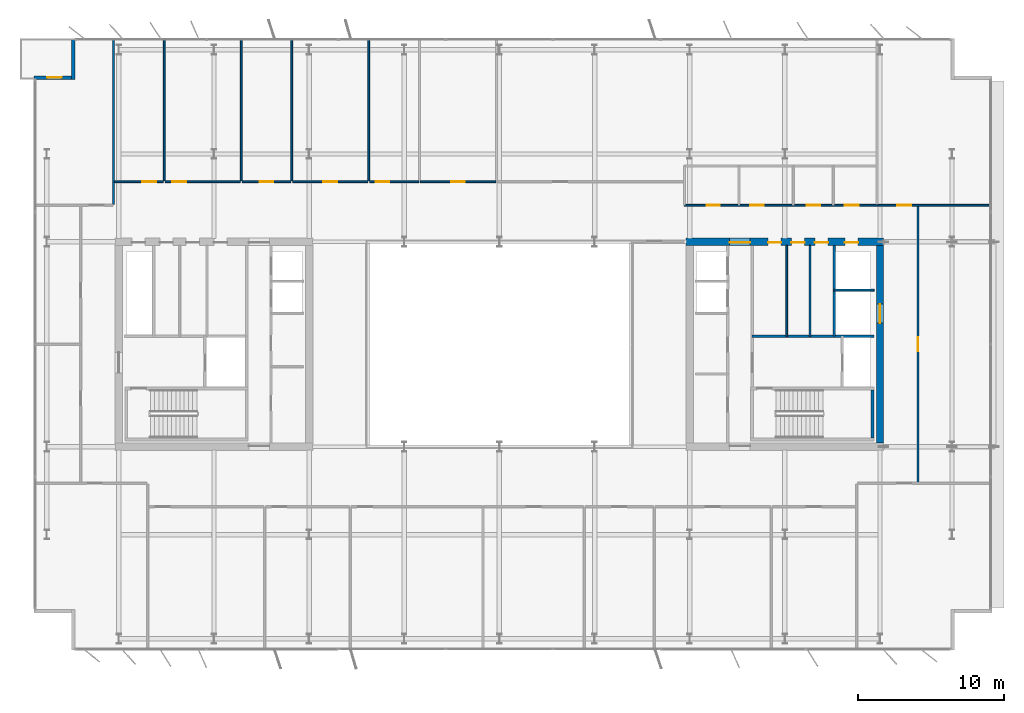
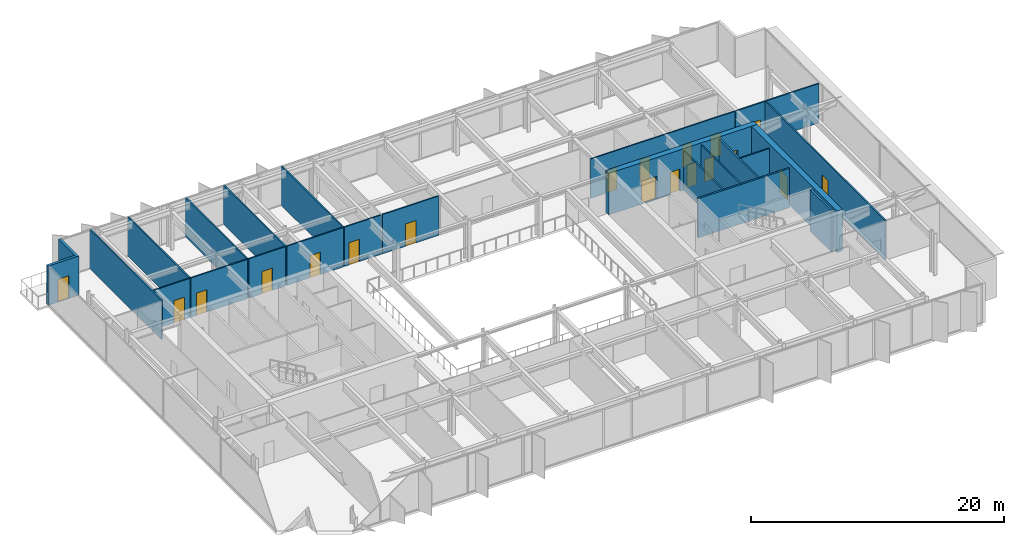
# One storey, part 15 of 20: 24 walls, 19 doors, 19 openings.
"""IFC4 building model written with IfcOpenShell, lengths in metres."""

from ifc_helpers import new_model, si_unit, direction, frame, frame_2d, origin, place, context, subcontext, project, spatial, rectangle, extrude, material, layer, layer_set, type_object, element, fill, save


model = new_model("IFC4")

# Units and contexts
model_context = context("Model", 3, precision=1e-05, world=origin(), true_north=direction((0.0, 1.0)))
body_context = subcontext(model_context, "Body", "Model", "MODEL_VIEW")
ifc_project = project(units=[si_unit("LENGTHUNIT", "METRE"), si_unit("AREAUNIT", "SQUARE_METRE"), si_unit("VOLUMEUNIT", "CUBIC_METRE"), si_unit("PLANEANGLEUNIT", "RADIAN"), si_unit("MASSUNIT", "GRAM", prefix="KILO")], contexts=[model_context])

# Site, building, storey
site_placement = place(None, origin())
site = spatial("IfcSite", under=ifc_project, at=site_placement, CompositionType="ELEMENT")
building_placement = place(site_placement, origin())
building = spatial("IfcBuilding", under=site, at=building_placement, Name="Putna Gate Headquarters", CompositionType="ELEMENT")
storey_placement = place(building_placement, frame((0.0, 0.0, 282.39990234375)))
storey = spatial("IfcBuildingStorey", under=building, at=storey_placement, Name="L71", CompositionType="ELEMENT", Elevation=282.39990234375)

# Wall, openings, doors
ifc_material_1 = material(Name="Concrete C50/60", Category="concrete")
ifc_layer_1 = layer(ifc_material_1, 0.5)
ifc_layer_set_1 = layer_set([ifc_layer_1], Name="Concrete C50/60")
wall_type_1 = type_object("IfcWallType", Name="WALL-CORE-500", PredefinedType="SHEAR", material=ifc_layer_set_1)
wall_1_placement = place(storey_placement, frame((51.75, 33.0, 0.0), z_axis=(0.0, 0.0, 1.0), x_axis=(1.0, 0.0, 0.0)))
wall_1 = element("IfcWall", 1, at=wall_1_placement, inside=storey, type_object=wall_type_1, Name="L71 EC Split Core Shear Wall N", PredefinedType="SHEAR", context=body_context, shape_type="SweptSolid", body=[
    extrude(rectangle(XDim=13.5, YDim=0.5, at=frame_2d((6.75, 0.0))), origin(), (0.0, 0.0, 1.0), 4.0),
])
opening_1_placement = place(wall_1_placement, frame((2.969970703125, 0.0, 0.0)))
opening_1 = element("IfcOpeningElement", 2, at=opening_1_placement, cuts=wall_1, Name="Opening FDD-140", PredefinedType="OPENING", context=body_context, shape_type="SweptSolid", body=[
    extrude(rectangle(XDim=1.39990234375, YDim=2.199951171875, at=frame_2d((0.699951171875, 1.10009765625))), frame((0.0, 0.260009765625, 0.0), z_axis=(0.0, -1.0, 0.0), x_axis=(1.0, 0.0, 0.0)), (0.0, 0.0, 1.0), 0.52001953125),
])
opening_2_placement = place(wall_1_placement, frame((10.85009765625, 0.0, 0.0)))
opening_2 = element("IfcOpeningElement", 3, at=opening_2_placement, cuts=wall_1, Name="Opening RD-90", PredefinedType="OPENING", context=body_context, shape_type="SweptSolid", body=[
    extrude(rectangle(XDim=0.89990234375, YDim=2.14990234375, at=frame_2d((0.449951171875, 1.074951171875))), frame((0.0, 0.260009765625, 0.0), z_axis=(0.0, -1.0, 0.0), x_axis=(1.0, 0.0, 0.0)), (0.0, 0.0, 1.0), 0.52001953125),
])
opening_3_placement = place(wall_1_placement, frame((5.60009765625, 0.0, 0.0)))
opening_3 = element("IfcOpeningElement", 4, at=opening_3_placement, cuts=wall_1, Name="Opening IDS-90", PredefinedType="OPENING", context=body_context, shape_type="SweptSolid", body=[
    extrude(rectangle(XDim=0.89990234375, YDim=2.14990234375, at=frame_2d((0.449951171875, 1.074951171875))), frame((0.0, 0.260009765625, 0.0), z_axis=(0.0, -1.0, 0.0), x_axis=(1.0, 0.0, 0.0)), (0.0, 0.0, 1.0), 0.52001953125),
])
opening_4_placement = place(wall_1_placement, frame((7.199951171875, 0.0, 0.0)))
opening_4 = element("IfcOpeningElement", 5, at=opening_4_placement, cuts=wall_1, Name="Opening IDS-90", PredefinedType="OPENING", context=body_context, shape_type="SweptSolid", body=[
    extrude(rectangle(XDim=0.89990234375, YDim=2.14990234375, at=frame_2d((0.449951171875, 1.074951171875))), frame((0.0, 0.260009765625, 0.0), z_axis=(0.0, -1.0, 0.0), x_axis=(1.0, 0.0, 0.0)), (0.0, 0.0, 1.0), 0.52001953125),
])
opening_5_placement = place(wall_1_placement, frame((8.800048828125, 0.0, 0.0)))
opening_5 = element("IfcOpeningElement", 6, at=opening_5_placement, cuts=wall_1, Name="Opening IDS-90", PredefinedType="OPENING", context=body_context, shape_type="SweptSolid", body=[
    extrude(rectangle(XDim=0.89990234375, YDim=2.14990234375, at=frame_2d((0.449951171875, 1.074951171875))), frame((0.0, 0.260009765625, 0.0), z_axis=(0.0, -1.0, 0.0), x_axis=(1.0, 0.0, 0.0)), (0.0, 0.0, 1.0), 0.52001953125),
])
ifc_material_2 = material(Name="Double steel fire door", Category="steel")
door_type_1 = type_object("IfcDoorType", Name="DOOR-FIRE-DBL-1400", OperationType="DOUBLE_DOOR_SINGLE_SWING", PredefinedType="DOOR", material=ifc_material_2)
door_1_placement = place(opening_1_placement, origin())
door_1 = element("IfcDoor", 7, at=door_1_placement, inside=storey, type_object=door_type_1, Name="L71 East Lift Lobby North Door", OperationType="DOUBLE_DOOR_SINGLE_SWING", OverallHeight=2.199951171875, OverallWidth=1.39990234375, PredefinedType="DOOR", context=body_context, shape_type="SweptSolid", body=[
    extrude(rectangle(XDim=1.39990234375, YDim=2.199951171875, at=frame_2d((0.699951171875, 1.10009765625))), frame((0.0, -0.02490234375, 0.0), z_axis=(0.0, -1.0, 0.0), x_axis=(1.0, 0.0, 0.0)), (0.0, 0.0, 1.0), 0.050048828125),
])
fill(opening_1, door_1)
ifc_material_3 = material(Name="Fire-rated utility door")
door_type_2 = type_object("IfcDoorType", Name="DOOR-INT-900", OperationType="NOTDEFINED", PredefinedType="DOOR", material=ifc_material_3)
door_2_placement = place(opening_3_placement, origin())
door_2 = element("IfcDoor", 8, at=door_2_placement, inside=storey, type_object=door_type_2, Name="L71 East Cleaner Store Door", OperationType="SINGLE_SWING_RIGHT", OverallHeight=2.14990234375, OverallWidth=0.89990234375, PredefinedType="DOOR", context=body_context, shape_type="SweptSolid", body=[
    extrude(rectangle(XDim=0.89990234375, YDim=2.14990234375, at=frame_2d((0.449951171875, 1.074951171875))), frame((0.0, -0.02490234375, 0.0), z_axis=(0.0, -1.0, 0.0), x_axis=(1.0, 0.0, 0.0)), (0.0, 0.0, 1.0), 0.050048828125),
])
fill(opening_3, door_2)
door_3_placement = place(opening_4_placement, origin())
door_3 = element("IfcDoor", 9, at=door_3_placement, inside=storey, type_object=door_type_2, Name="L71 BMS Outstation Door", OperationType="SINGLE_SWING_LEFT", OverallHeight=2.14990234375, OverallWidth=0.89990234375, PredefinedType="DOOR", context=body_context, shape_type="SweptSolid", body=[
    extrude(rectangle(XDim=0.89990234375, YDim=2.14990234375, at=frame_2d((0.449951171875, 1.074951171875))), frame((0.0, -0.02490234375, 0.0), z_axis=(0.0, -1.0, 0.0), x_axis=(1.0, 0.0, 0.0)), (0.0, 0.0, 1.0), 0.050048828125),
])
fill(opening_4, door_3)
door_4_placement = place(opening_5_placement, origin())
door_4 = element("IfcDoor", 10, at=door_4_placement, inside=storey, type_object=door_type_2, Name="L71 Facilities Equipment Store Door", OperationType="SINGLE_SWING_RIGHT", OverallHeight=2.14990234375, OverallWidth=0.89990234375, PredefinedType="DOOR", context=body_context, shape_type="SweptSolid", body=[
    extrude(rectangle(XDim=0.89990234375, YDim=2.14990234375, at=frame_2d((0.449951171875, 1.074951171875))), frame((0.0, -0.02490234375, 0.0), z_axis=(0.0, -1.0, 0.0), x_axis=(1.0, 0.0, 0.0)), (0.0, 0.0, 1.0), 0.050048828125),
])
fill(opening_5, door_4)
ifc_material_4 = material(Name="Steel riser access fire door", Category="steel")
door_type_3 = type_object("IfcDoorType", Name="DOOR-RISER-900", OperationType="NOTDEFINED", PredefinedType="DOOR", material=ifc_material_4)
door_5_placement = place(opening_2_placement, origin())
door_5 = element("IfcDoor", 11, at=door_5_placement, inside=storey, type_object=door_type_3, Name="L71 East Riser Access Door", OperationType="SINGLE_SWING_LEFT", OverallHeight=2.14990234375, OverallWidth=0.89990234375, PredefinedType="DOOR", context=body_context, shape_type="SweptSolid", body=[
    extrude(rectangle(XDim=0.89990234375, YDim=2.14990234375, at=frame_2d((0.449951171875, 1.074951171875))), frame((0.0, -0.02490234375, 0.0), z_axis=(0.0, -1.0, 0.0), x_axis=(1.0, 0.0, 0.0)), (0.0, 0.0, 1.0), 0.050048828125),
])
fill(opening_2, door_5)

# Wall, opening, door
wall_2_placement = place(storey_placement, frame((65.0, 19.25, 0.0), z_axis=(0.0, 0.0, 1.0), x_axis=(0.0, 1.0, 0.0)))
wall_2 = element("IfcWall", 12, at=wall_2_placement, inside=storey, type_object=wall_type_1, Name="L71 EC Split Core Shear Wall E", PredefinedType="SHEAR", context=body_context, shape_type="SweptSolid", body=[
    extrude(rectangle(XDim=13.5, YDim=0.5, at=frame_2d((6.75, 0.0))), origin(), (0.0, 0.0, 1.0), 4.0),
])
opening_6_placement = place(wall_2_placement, frame((8.199951171875, 0.0, 0.0)))
opening_6 = element("IfcOpeningElement", 13, at=opening_6_placement, cuts=wall_2, Name="Opening LD-2", PredefinedType="OPENING", context=body_context, shape_type="SweptSolid", body=[
    extrude(rectangle(XDim=1.300048828125, YDim=2.199951171875, at=frame_2d((0.64990234375, 1.10009765625))), frame((0.0, 0.260009765625, 0.0), z_axis=(0.0, -1.0, 0.0), x_axis=(1.0, 0.0, 0.0)), (0.0, 0.0, 1.0), 0.52001953125),
])
ifc_material_5 = material(Name="Heavy-duty goods lift sliding landing door")
door_type_4 = type_object("IfcDoorType", Name="DOOR-LIFT-1300", OperationType="DOUBLE_DOOR_SLIDING", PredefinedType="DOOR", material=ifc_material_5)
door_6_placement = place(opening_6_placement, origin())
door_6 = element("IfcDoor", 14, at=door_6_placement, inside=storey, type_object=door_type_4, Name="L71 Goods Lift Landing Door LD-15", OperationType="DOUBLE_DOOR_SLIDING", OverallHeight=2.199951171875, OverallWidth=1.300048828125, PredefinedType="DOOR", context=body_context, shape_type="SweptSolid", body=[
    extrude(rectangle(XDim=1.300048828125, YDim=2.199951171875, at=frame_2d((0.64990234375, 1.10009765625))), frame((0.0, 0.02490234375, 0.0), z_axis=(0.0, -1.0, 0.0), x_axis=(1.0, 0.0, 0.0)), (0.0, 0.0, 1.0), 0.050048828125),
])
fill(opening_6, door_6)

# Wall
ifc_material_6 = material(Name="Precast concrete C40/50", Category="concrete")
ifc_layer_2 = layer(ifc_material_6, 0.239990234375)
ifc_layer_set_2 = layer_set([ifc_layer_2], Name="Precast concrete C40/50")
wall_type_2 = type_object("IfcWallType", Name="WALL-EXT-TERR-240", PredefinedType="STANDARD", material=ifc_layer_set_2)
wall_3_placement = place(storey_placement, frame((9.8798828125, 44.10009765625, 0.0), z_axis=(0.0, 0.0, 1.0), x_axis=(0.0, 1.0, 0.0)))
element("IfcWall", 15, at=wall_3_placement, inside=storey, type_object=wall_type_2, Name="L71 Corner Notch Return Wall NW-V", PredefinedType="STANDARD", context=body_context, shape_type="SweptSolid", body=[
    extrude(rectangle(XDim=2.7998046875, YDim=0.239990234375, at=frame_2d((1.39990234375, 0.0))), origin(), (0.0, 0.0, 1.0), 3.7880859375),
])

# Wall, opening, door
wall_4_placement = place(storey_placement, frame((7.199951171875, 44.219970703125, 0.0), z_axis=(0.0, 0.0, 1.0), x_axis=(1.0, 0.0, 0.0)))
wall_4 = element("IfcWall", 16, at=wall_4_placement, inside=storey, type_object=wall_type_2, Name="L71 Corner Notch Return Wall NW-H", PredefinedType="STANDARD", context=body_context, shape_type="SweptSolid", body=[
    extrude(rectangle(XDim=2.800048828125, YDim=0.239990234375, at=frame_2d((1.39990234375, 0.0))), origin(), (0.0, 0.0, 1.0), 3.7880859375),
])
opening_7_placement = place(wall_4_placement, frame((0.89990234375, 0.0, 0.0)))
opening_7 = element("IfcOpeningElement", 17, at=opening_7_placement, cuts=wall_4, Name="Opening TRD-1", PredefinedType="OPENING", context=body_context, shape_type="SweptSolid", body=[
    extrude(rectangle(XDim=1.0, YDim=2.199951171875, at=frame_2d((0.5, 1.10009765625))), frame((0.0, 0.1298828125, 0.0), z_axis=(0.0, -1.0, 0.0), x_axis=(1.0, 0.0, 0.0)), (0.0, 0.0, 1.0), 0.260009765625),
])
ifc_material_7 = material(Name="Thermally broken bronze glazed terrace door")
door_type_5 = type_object("IfcDoorType", Name="DOOR-TERR-EXT-1000", OperationType="NOTDEFINED", PredefinedType="DOOR", material=ifc_material_7)
door_7_placement = place(opening_7_placement, origin())
door_7 = element("IfcDoor", 18, at=door_7_placement, inside=storey, type_object=door_type_5, Name="L71 Spiral Sky Terrace Door NW", OperationType="SINGLE_SWING_RIGHT", OverallHeight=2.199951171875, OverallWidth=1.0, PredefinedType="DOOR", context=body_context, shape_type="SweptSolid", body=[
    extrude(rectangle(XDim=1.0, YDim=2.199951171875, at=frame_2d((0.5, 1.10009765625))), frame((0.0, 0.02490234375, 0.0), z_axis=(0.0, -1.0, 0.0), x_axis=(1.0, 0.0, 0.0)), (0.0, 0.0, 1.0), 0.050048828125),
])
fill(opening_7, door_7)

# Walls
ifc_material_8 = material(Name="Acoustic gypsum board on metal stud")
ifc_layer_3 = layer(ifc_material_8, 0.1201171875)
ifc_layer_set_3 = layer_set([ifc_layer_3], Name="Acoustic gypsum board on metal stud")
wall_type_3 = type_object("IfcWallType", Name="WALL-PART-120", PredefinedType="PARTITIONING", material=ifc_layer_set_3)
wall_5_placement = place(storey_placement, frame((12.637939453125, 35.56005859375, 0.0), z_axis=(0.0, 0.0, 1.0), x_axis=(0.0, 1.0, 0.0)))
element("IfcWall", 19, at=wall_5_placement, inside=storey, type_object=wall_type_3, Name="L71 Interior Wall PART-L71-NB-DIV-01", PredefinedType="PARTITIONING", context=body_context, shape_type="SweptSolid", body=[
    extrude(rectangle(XDim=11.31982421875, YDim=0.1201171875, at=frame_2d((5.659912109375, 0.0))), origin(), (0.0, 0.0, 1.0), 3.7880859375),
])
for number, where, z_axis, x_axis, name in (
    (20, (16.1005859375, 37.159912109375, 0.0), (0.0, 0.0, 1.0), (0.0, 1.0, 0.0), "L71 Interior Wall PART-L71-NB-DIV-02"),
    (21, (21.358642578125, 37.159912109375, 0.0), (0.0, 0.0, 1.0), (0.0, 1.0, 0.0), "L71 Interior Wall PART-L71-NB-DIV-03"),
    (22, (24.8212890625, 37.159912109375, 0.0), (0.0, 0.0, 1.0), (0.0, 1.0, 0.0), "L71 Interior Wall PART-L71-NB-DIV-04"),
    (23, (30.079345703125, 37.159912109375, 0.0), (0.0, 0.0, 1.0), (0.0, 1.0, 0.0), "L71 Interior Wall PART-L71-NB-DIV-05"),
):
    element("IfcWall", number, at=place(storey_placement, frame(where, z_axis=z_axis, x_axis=x_axis)), inside=storey, type_object=wall_type_3, Name=name, PredefinedType="PARTITIONING", context=body_context, shape_type="SweptSolid", body=[
        extrude(rectangle(XDim=9.719970703125, YDim=0.1201171875, at=frame_2d((4.85986328125, 0.0))), origin(), (0.0, 0.0, 1.0), 3.7880859375),
    ])
ifc_material_9 = material(Name="Fire-rated shaftwall gypsum board on metal stud")
ifc_layer_4 = layer(ifc_material_9, 0.1201171875)
ifc_layer_set_4 = layer_set([ifc_layer_4], Name="Fire-rated shaftwall gypsum board on metal stud")
wall_type_4 = type_object("IfcWallType", Name="WALL-PART-120-EI120", PredefinedType="PARTITIONING", material=ifc_layer_set_4)
wall_6_placement = place(storey_placement, frame((61.8701171875, 29.699951171875, 0.0), z_axis=(0.0, 0.0, 1.0), x_axis=(1.0, 0.0, 0.0)))
element("IfcWall", 24, at=wall_6_placement, inside=storey, type_object=wall_type_4, Name="L71 Interior Wall CWINT-L71-EC-LF15-N", PredefinedType="PARTITIONING", context=body_context, shape_type="SweptSolid", body=[
    extrude(rectangle(XDim=2.72998046875, YDim=0.1201171875, at=frame_2d((1.364990234375, 0.0))), origin(), (0.0, 0.0, 1.0), 3.7880859375),
])
ifc_material_10 = material(Name="Fire-rated gypsum board on metal stud")
ifc_layer_5 = layer(ifc_material_10, 0.1201171875)
ifc_layer_set_5 = layer_set([ifc_layer_5], Name="Fire-rated gypsum board on metal stud")
wall_type_5 = type_object("IfcWallType", Name="WALL-PART-120-RATED", PredefinedType="PARTITIONING", material=ifc_layer_set_5)
for number, where, z_axis, x_axis, name in (
    (25, (58.6201171875, 26.56005859375, 0.0), (0.0, 0.0, 1.0), (0.0, 1.0, 0.0), "L71 Interior Wall CWINT-L71-EC-K2-D1"),
    (26, (60.219970703125, 26.56005859375, 0.0), (0.0, 0.0, 1.0), (0.0, 1.0, 0.0), "L71 Interior Wall CWINT-L71-EC-K2-D2"),
):
    element("IfcWall", number, at=place(storey_placement, frame(where, z_axis=z_axis, x_axis=x_axis)), inside=storey, type_object=wall_type_5, Name=name, PredefinedType="PARTITIONING", context=body_context, shape_type="SweptSolid", body=[
        extrude(rectangle(XDim=6.18994140625, YDim=0.1201171875, at=frame_2d((3.094970703125, 0.0))), origin(), (0.0, 0.0, 1.0), 3.7880859375),
    ])

# Wall, openings, doors
wall_7_placement = place(storey_placement, frame((51.639892578125, 35.5, 0.0), z_axis=(0.0, 0.0, 1.0), x_axis=(1.0, 0.0, 0.0)))
wall_7 = element("IfcWall", 27, at=wall_7_placement, inside=storey, type_object=wall_type_5, Name="L71 Interior Wall PART-L71-SAN-CW", PredefinedType="PARTITIONING", context=body_context, shape_type="SweptSolid", body=[
    extrude(rectangle(XDim=13.16015625, YDim=0.1201171875, at=frame_2d((6.580078125, 0.0))), origin(), (0.0, 0.0, 1.0), 3.7880859375),
])
opening_8_placement = place(wall_7_placement, frame((1.510009765625, 0.0, 0.0)))
opening_8 = element("IfcOpeningElement", 28, at=opening_8_placement, cuts=wall_7, Name="Opening FD-90", PredefinedType="OPENING", context=body_context, shape_type="SweptSolid", body=[
    extrude(rectangle(XDim=0.89990234375, YDim=2.14990234375, at=frame_2d((0.449951171875, 1.074951171875))), frame((0.0, 0.070068359375, 0.0), z_axis=(0.0, -1.0, 0.0), x_axis=(1.0, 0.0, 0.0)), (0.0, 0.0, 1.0), 0.14013671875),
])
opening_9_placement = place(wall_7_placement, frame((4.510009765625, 0.0, 0.0)))
opening_9 = element("IfcOpeningElement", 29, at=opening_9_placement, cuts=wall_7, Name="Opening FD-90", PredefinedType="OPENING", context=body_context, shape_type="SweptSolid", body=[
    extrude(rectangle(XDim=0.89990234375, YDim=2.14990234375, at=frame_2d((0.449951171875, 1.074951171875))), frame((0.0, 0.070068359375, 0.0), z_axis=(0.0, -1.0, 0.0), x_axis=(1.0, 0.0, 0.0)), (0.0, 0.0, 1.0), 0.14013671875),
])
opening_10_placement = place(wall_7_placement, frame((8.360107421875, 0.0, 0.0)))
opening_10 = element("IfcOpeningElement", 30, at=opening_10_placement, cuts=wall_7, Name="Opening FD-90", PredefinedType="OPENING", context=body_context, shape_type="SweptSolid", body=[
    extrude(rectangle(XDim=0.89990234375, YDim=2.14990234375, at=frame_2d((0.449951171875, 1.074951171875))), frame((0.0, 0.070068359375, 0.0), z_axis=(0.0, -1.0, 0.0), x_axis=(1.0, 0.0, 0.0)), (0.0, 0.0, 1.0), 0.14013671875),
])
opening_11_placement = place(wall_7_placement, frame((10.9599609375, 0.0, 0.0)))
opening_11 = element("IfcOpeningElement", 31, at=opening_11_placement, cuts=wall_7, Name="Opening FD-95", PredefinedType="OPENING", context=body_context, shape_type="SweptSolid", body=[
    extrude(rectangle(XDim=0.949951171875, YDim=2.14990234375, at=frame_2d((0.47509765625, 1.074951171875))), frame((0.0, 0.070068359375, 0.0), z_axis=(0.0, -1.0, 0.0), x_axis=(1.0, 0.0, 0.0)), (0.0, 0.0, 1.0), 0.14013671875),
])
ifc_material_11 = material(Name="Acoustic washroom fire door")
door_type_6 = type_object("IfcDoorType", Name="DOOR-FIRE-900", OperationType="NOTDEFINED", PredefinedType="DOOR", material=ifc_material_11)
door_8_placement = place(opening_8_placement, origin())
door_8 = element("IfcDoor", 32, at=door_8_placement, inside=storey, type_object=door_type_6, Name="L71 Washroom Male Door", OperationType="SINGLE_SWING_RIGHT", OverallHeight=2.14990234375, OverallWidth=0.89990234375, PredefinedType="DOOR", context=body_context, shape_type="SweptSolid", body=[
    extrude(rectangle(XDim=0.89990234375, YDim=2.14990234375, at=frame_2d((0.449951171875, 1.074951171875))), frame((0.0, 0.02490234375, 0.0), z_axis=(0.0, -1.0, 0.0), x_axis=(1.0, 0.0, 0.0)), (0.0, 0.0, 1.0), 0.050048828125),
])
fill(opening_8, door_8)
door_9_placement = place(opening_9_placement, origin())
door_9 = element("IfcDoor", 33, at=door_9_placement, inside=storey, type_object=door_type_6, Name="L71 Washroom Female Door", OperationType="SINGLE_SWING_LEFT", OverallHeight=2.14990234375, OverallWidth=0.89990234375, PredefinedType="DOOR", context=body_context, shape_type="SweptSolid", body=[
    extrude(rectangle(XDim=0.89990234375, YDim=2.14990234375, at=frame_2d((0.449951171875, 1.074951171875))), frame((0.0, 0.02490234375, 0.0), z_axis=(0.0, -1.0, 0.0), x_axis=(1.0, 0.0, 0.0)), (0.0, 0.0, 1.0), 0.050048828125),
])
fill(opening_9, door_9)
door_10_placement = place(opening_10_placement, origin())
door_10 = element("IfcDoor", 34, at=door_10_placement, inside=storey, type_object=door_type_6, Name="L71 Accessible WC Door", OperationType="SINGLE_SWING_RIGHT", OverallHeight=2.14990234375, OverallWidth=0.89990234375, PredefinedType="DOOR", context=body_context, shape_type="SweptSolid", body=[
    extrude(rectangle(XDim=0.89990234375, YDim=2.14990234375, at=frame_2d((0.449951171875, 1.074951171875))), frame((0.0, 0.02490234375, 0.0), z_axis=(0.0, -1.0, 0.0), x_axis=(1.0, 0.0, 0.0)), (0.0, 0.0, 1.0), 0.050048828125),
])
fill(opening_10, door_10)
ifc_material_12 = material(Name="Acoustic timber fire door", Category="wood")
door_type_7 = type_object("IfcDoorType", Name="DOOR-FIRE-950", OperationType="NOTDEFINED", PredefinedType="DOOR", material=ifc_material_12)
door_11_placement = place(opening_11_placement, origin())
door_11 = element("IfcDoor", 35, at=door_11_placement, inside=storey, type_object=door_type_7, Name="L71 Staff Pantry and Tea Point Door", OperationType="SINGLE_SWING_LEFT", OverallHeight=2.14990234375, OverallWidth=0.949951171875, PredefinedType="DOOR", context=body_context, shape_type="SweptSolid", body=[
    extrude(rectangle(XDim=0.949951171875, YDim=2.14990234375, at=frame_2d((0.47509765625, 1.074951171875))), frame((0.0, 0.02490234375, 0.0), z_axis=(0.0, -1.0, 0.0), x_axis=(1.0, 0.0, 0.0)), (0.0, 0.0, 1.0), 0.050048828125),
])
fill(opening_11, door_11)

# Wall, opening, door
wall_8_placement = place(storey_placement, frame((12.697998046875, 37.10009765625, 0.0), z_axis=(0.0, 0.0, 1.0), x_axis=(1.0, 0.0, 0.0)))
wall_8 = element("IfcWall", 36, at=wall_8_placement, inside=storey, type_object=wall_type_5, Name="L71 Interior Wall PART-L71-NB-CW-02", PredefinedType="PARTITIONING", context=body_context, shape_type="SweptSolid", body=[
    extrude(rectangle(XDim=3.3427734375, YDim=0.1201171875, at=frame_2d((1.67138671875, 0.0))), origin(), (0.0, 0.0, 1.0), 3.7880859375),
])
opening_12_placement = place(wall_8_placement, frame((1.91259765625, 0.0, 0.0)))
opening_12 = element("IfcOpeningElement", 37, at=opening_12_placement, cuts=wall_8, Name="Opening FD-95", PredefinedType="OPENING", context=body_context, shape_type="SweptSolid", body=[
    extrude(rectangle(XDim=0.949951171875, YDim=2.14990234375, at=frame_2d((0.47509765625, 1.074951171875))), frame((0.0, 0.070068359375, 0.0), z_axis=(0.0, -1.0, 0.0), x_axis=(1.0, 0.0, 0.0)), (0.0, 0.0, 1.0), 0.14013671875),
])
door_12_placement = place(opening_12_placement, origin())
door_12 = element("IfcDoor", 38, at=door_12_placement, inside=storey, type_object=door_type_7, Name="L71 Cellular Office 3 Door", OperationType="SINGLE_SWING_LEFT", OverallHeight=2.14990234375, OverallWidth=0.949951171875, PredefinedType="DOOR", context=body_context, shape_type="SweptSolid", body=[
    extrude(rectangle(XDim=0.949951171875, YDim=2.14990234375, at=frame_2d((0.47509765625, 1.074951171875))), frame((0.0, 0.02490234375, 0.0), z_axis=(0.0, -1.0, 0.0), x_axis=(1.0, 0.0, 0.0)), (0.0, 0.0, 1.0), 0.050048828125),
])
fill(opening_12, door_12)

wall_9_placement = place(storey_placement, frame((16.16064453125, 37.10009765625, 0.0), z_axis=(0.0, 0.0, 1.0), x_axis=(1.0, 0.0, 0.0)))
wall_9 = element("IfcWall", 39, at=wall_9_placement, inside=storey, type_object=wall_type_5, Name="L71 Interior Wall PART-L71-NB-CW-03", PredefinedType="PARTITIONING", context=body_context, shape_type="SweptSolid", body=[
    extrude(rectangle(XDim=5.137939453125, YDim=0.1201171875, at=frame_2d((2.56884765625, 0.0))), origin(), (0.0, 0.0, 1.0), 3.7880859375),
])
opening_13_placement = place(wall_9_placement, frame((0.47998046875, 0.0, 0.0)))
opening_13 = element("IfcOpeningElement", 40, at=opening_13_placement, cuts=wall_9, Name="Opening FD-95", PredefinedType="OPENING", context=body_context, shape_type="SweptSolid", body=[
    extrude(rectangle(XDim=0.949951171875, YDim=2.14990234375, at=frame_2d((0.47509765625, 1.074951171875))), frame((0.0, 0.070068359375, 0.0), z_axis=(0.0, -1.0, 0.0), x_axis=(1.0, 0.0, 0.0)), (0.0, 0.0, 1.0), 0.14013671875),
])
door_13_placement = place(opening_13_placement, origin())
door_13 = element("IfcDoor", 41, at=door_13_placement, inside=storey, type_object=door_type_7, Name="L71 Cellular Office 4 Door", OperationType="SINGLE_SWING_RIGHT", OverallHeight=2.14990234375, OverallWidth=0.949951171875, PredefinedType="DOOR", context=body_context, shape_type="SweptSolid", body=[
    extrude(rectangle(XDim=0.949951171875, YDim=2.14990234375, at=frame_2d((0.47509765625, 1.074951171875))), frame((0.0, 0.02490234375, 0.0), z_axis=(0.0, -1.0, 0.0), x_axis=(1.0, 0.0, 0.0)), (0.0, 0.0, 1.0), 0.050048828125),
])
fill(opening_13, door_13)

wall_10_placement = place(storey_placement, frame((21.418701171875, 37.10009765625, 0.0), z_axis=(0.0, 0.0, 1.0), x_axis=(1.0, 0.0, 0.0)))
wall_10 = element("IfcWall", 42, at=wall_10_placement, inside=storey, type_object=wall_type_5, Name="L71 Interior Wall PART-L71-NB-CW-04", PredefinedType="PARTITIONING", context=body_context, shape_type="SweptSolid", body=[
    extrude(rectangle(XDim=3.342529296875, YDim=0.1201171875, at=frame_2d((1.67138671875, 0.0))), origin(), (0.0, 0.0, 1.0), 3.7880859375),
])
opening_14_placement = place(wall_10_placement, frame((1.1962890625, 0.0, 0.0)))
opening_14 = element("IfcOpeningElement", 43, at=opening_14_placement, cuts=wall_10, Name="Opening FD-95", PredefinedType="OPENING", context=body_context, shape_type="SweptSolid", body=[
    extrude(rectangle(XDim=0.949951171875, YDim=2.14990234375, at=frame_2d((0.47509765625, 1.074951171875))), frame((0.0, 0.070068359375, 0.0), z_axis=(0.0, -1.0, 0.0), x_axis=(1.0, 0.0, 0.0)), (0.0, 0.0, 1.0), 0.14013671875),
])
door_14_placement = place(opening_14_placement, origin())
door_14 = element("IfcDoor", 44, at=door_14_placement, inside=storey, type_object=door_type_7, Name="L71 Cellular Office 5 Door", OperationType="SINGLE_SWING_LEFT", OverallHeight=2.14990234375, OverallWidth=0.949951171875, PredefinedType="DOOR", context=body_context, shape_type="SweptSolid", body=[
    extrude(rectangle(XDim=0.949951171875, YDim=2.14990234375, at=frame_2d((0.47509765625, 1.074951171875))), frame((0.0, 0.02490234375, 0.0), z_axis=(0.0, -1.0, 0.0), x_axis=(1.0, 0.0, 0.0)), (0.0, 0.0, 1.0), 0.050048828125),
])
fill(opening_14, door_14)

wall_11_placement = place(storey_placement, frame((24.88134765625, 37.10009765625, 0.0), z_axis=(0.0, 0.0, 1.0), x_axis=(1.0, 0.0, 0.0)))
wall_11 = element("IfcWall", 45, at=wall_11_placement, inside=storey, type_object=wall_type_5, Name="L71 Interior Wall PART-L71-NB-CW-05", PredefinedType="PARTITIONING", context=body_context, shape_type="SweptSolid", body=[
    extrude(rectangle(XDim=5.137939453125, YDim=0.1201171875, at=frame_2d((2.56884765625, 0.0))), origin(), (0.0, 0.0, 1.0), 3.7880859375),
])
opening_15_placement = place(wall_11_placement, frame((2.093994140625, 0.0, 0.0)))
opening_15 = element("IfcOpeningElement", 46, at=opening_15_placement, cuts=wall_11, Name="Opening FD-95", PredefinedType="OPENING", context=body_context, shape_type="SweptSolid", body=[
    extrude(rectangle(XDim=0.949951171875, YDim=2.14990234375, at=frame_2d((0.47509765625, 1.074951171875))), frame((0.0, 0.070068359375, 0.0), z_axis=(0.0, -1.0, 0.0), x_axis=(1.0, 0.0, 0.0)), (0.0, 0.0, 1.0), 0.14013671875),
])
door_15_placement = place(opening_15_placement, origin())
door_15 = element("IfcDoor", 47, at=door_15_placement, inside=storey, type_object=door_type_7, Name="L71 Cellular Office 6 Door", OperationType="SINGLE_SWING_RIGHT", OverallHeight=2.14990234375, OverallWidth=0.949951171875, PredefinedType="DOOR", context=body_context, shape_type="SweptSolid", body=[
    extrude(rectangle(XDim=0.949951171875, YDim=2.14990234375, at=frame_2d((0.47509765625, 1.074951171875))), frame((0.0, 0.02490234375, 0.0), z_axis=(0.0, -1.0, 0.0), x_axis=(1.0, 0.0, 0.0)), (0.0, 0.0, 1.0), 0.050048828125),
])
fill(opening_15, door_15)

wall_12_placement = place(storey_placement, frame((30.139404296875, 37.10009765625, 0.0), z_axis=(0.0, 0.0, 1.0), x_axis=(1.0, 0.0, 0.0)))
wall_12 = element("IfcWall", 48, at=wall_12_placement, inside=storey, type_object=wall_type_5, Name="L71 Interior Wall PART-L71-NB-CW-06", PredefinedType="PARTITIONING", context=body_context, shape_type="SweptSolid", body=[
    extrude(rectangle(XDim=3.342529296875, YDim=0.1201171875, at=frame_2d((1.67138671875, 0.0))), origin(), (0.0, 0.0, 1.0), 3.7880859375),
])
opening_16_placement = place(wall_12_placement, frame((0.3994140625, 0.0, 0.0)))
opening_16 = element("IfcOpeningElement", 49, at=opening_16_placement, cuts=wall_12, Name="Opening FD-95", PredefinedType="OPENING", context=body_context, shape_type="SweptSolid", body=[
    extrude(rectangle(XDim=0.949951171875, YDim=2.14990234375, at=frame_2d((0.47509765625, 1.074951171875))), frame((0.0, 0.070068359375, 0.0), z_axis=(0.0, -1.0, 0.0), x_axis=(1.0, 0.0, 0.0)), (0.0, 0.0, 1.0), 0.14013671875),
])
door_16_placement = place(opening_16_placement, origin())
door_16 = element("IfcDoor", 50, at=door_16_placement, inside=storey, type_object=door_type_7, Name="L71 Cellular Office 7 Door", OperationType="SINGLE_SWING_LEFT", OverallHeight=2.14990234375, OverallWidth=0.949951171875, PredefinedType="DOOR", context=body_context, shape_type="SweptSolid", body=[
    extrude(rectangle(XDim=0.949951171875, YDim=2.14990234375, at=frame_2d((0.47509765625, 1.074951171875))), frame((0.0, 0.02490234375, 0.0), z_axis=(0.0, -1.0, 0.0), x_axis=(1.0, 0.0, 0.0)), (0.0, 0.0, 1.0), 0.050048828125),
])
fill(opening_16, door_16)

wall_13_placement = place(storey_placement, frame((33.60205078125, 37.10009765625, 0.0), z_axis=(0.0, 0.0, 1.0), x_axis=(1.0, 0.0, 0.0)))
wall_13 = element("IfcWall", 51, at=wall_13_placement, inside=storey, type_object=wall_type_5, Name="L71 Interior Wall PART-L71-NB-CW-07", PredefinedType="PARTITIONING", context=body_context, shape_type="SweptSolid", body=[
    extrude(rectangle(XDim=5.137939453125, YDim=0.1201171875, at=frame_2d((2.56884765625, 0.0))), origin(), (0.0, 0.0, 1.0), 3.7880859375),
])
opening_17_placement = place(wall_13_placement, frame((2.093994140625, 0.0, 0.0)))
opening_17 = element("IfcOpeningElement", 52, at=opening_17_placement, cuts=wall_13, Name="Opening FD-95", PredefinedType="OPENING", context=body_context, shape_type="SweptSolid", body=[
    extrude(rectangle(XDim=0.949951171875, YDim=2.14990234375, at=frame_2d((0.47509765625, 1.074951171875))), frame((0.0, 0.070068359375, 0.0), z_axis=(0.0, -1.0, 0.0), x_axis=(1.0, 0.0, 0.0)), (0.0, 0.0, 1.0), 0.14013671875),
])
door_17_placement = place(opening_17_placement, origin())
door_17 = element("IfcDoor", 53, at=door_17_placement, inside=storey, type_object=door_type_7, Name="L71 Conference Meeting Room 1 Door", OperationType="SINGLE_SWING_RIGHT", OverallHeight=2.14990234375, OverallWidth=0.949951171875, PredefinedType="DOOR", context=body_context, shape_type="SweptSolid", body=[
    extrude(rectangle(XDim=0.949951171875, YDim=2.14990234375, at=frame_2d((0.47509765625, 1.074951171875))), frame((0.0, 0.02490234375, 0.0), z_axis=(0.0, -1.0, 0.0), x_axis=(1.0, 0.0, 0.0)), (0.0, 0.0, 1.0), 0.050048828125),
])
fill(opening_17, door_17)

wall_14_placement = place(storey_placement, frame((64.860107421875, 35.5, 0.0), z_axis=(0.0, 0.0, 1.0), x_axis=(1.0, 0.0, 0.0)))
wall_14 = element("IfcWall", 54, at=wall_14_placement, inside=storey, type_object=wall_type_5, Name="L71 Interior Wall PART-L71-NB-CW-09", PredefinedType="PARTITIONING", context=body_context, shape_type="SweptSolid", body=[
    extrude(rectangle(XDim=7.60888671875, YDim=0.1201171875, at=frame_2d((3.804443359375, 0.0))), origin(), (0.0, 0.0, 1.0), 3.7880859375),
])
opening_18_placement = place(wall_14_placement, frame((1.31005859375, 0.0, 0.0)))
opening_18 = element("IfcOpeningElement", 55, at=opening_18_placement, cuts=wall_14, Name="Opening FD-95", PredefinedType="OPENING", context=body_context, shape_type="SweptSolid", body=[
    extrude(rectangle(XDim=0.949951171875, YDim=2.14990234375, at=frame_2d((0.47509765625, 1.074951171875))), frame((0.0, 0.070068359375, 0.0), z_axis=(0.0, -1.0, 0.0), x_axis=(1.0, 0.0, 0.0)), (0.0, 0.0, 1.0), 0.14013671875),
])
door_18_placement = place(opening_18_placement, origin())
door_18 = element("IfcDoor", 56, at=door_18_placement, inside=storey, type_object=door_type_7, Name="L71 Quiet Wellness Focus Studio 1 Door", OperationType="SINGLE_SWING_RIGHT", OverallHeight=2.14990234375, OverallWidth=0.949951171875, PredefinedType="DOOR", context=body_context, shape_type="SweptSolid", body=[
    extrude(rectangle(XDim=0.949951171875, YDim=2.14990234375, at=frame_2d((0.47509765625, 1.074951171875))), frame((0.0, 0.02490234375, 0.0), z_axis=(0.0, -1.0, 0.0), x_axis=(1.0, 0.0, 0.0)), (0.0, 0.0, 1.0), 0.050048828125),
])
fill(opening_18, door_18)

wall_15_placement = place(storey_placement, frame((67.60009765625, 16.5, 0.0), z_axis=(0.0, 0.0, 1.0), x_axis=(0.0, 1.0, 0.0)))
wall_15 = element("IfcWall", 57, at=wall_15_placement, inside=storey, type_object=wall_type_5, Name="L71 Interior Wall PART-L71-EW-CW-1", PredefinedType="PARTITIONING", context=body_context, shape_type="SweptSolid", body=[
    extrude(rectangle(XDim=19.0, YDim=0.1201171875, at=frame_2d((9.5, 0.0))), origin(), (0.0, 0.0, 1.0), 3.7880859375),
])
opening_19_placement = place(wall_15_placement, frame((9.02490234375, 0.0, 0.0)))
opening_19 = element("IfcOpeningElement", 58, at=opening_19_placement, cuts=wall_15, Name="Opening FD-95", PredefinedType="OPENING", context=body_context, shape_type="SweptSolid", body=[
    extrude(rectangle(XDim=0.949951171875, YDim=2.14990234375, at=frame_2d((0.47509765625, 1.074951171875))), frame((0.0, 0.070068359375, 0.0), z_axis=(0.0, -1.0, 0.0), x_axis=(1.0, 0.0, 0.0)), (0.0, 0.0, 1.0), 0.14013671875),
])
door_19_placement = place(opening_19_placement, origin())
door_19 = element("IfcDoor", 59, at=door_19_placement, inside=storey, type_object=door_type_7, Name="L71 East Advisory Office 1 Door", OperationType="SINGLE_SWING_RIGHT", OverallHeight=2.14990234375, OverallWidth=0.949951171875, PredefinedType="DOOR", context=body_context, shape_type="SweptSolid", body=[
    extrude(rectangle(XDim=0.949951171875, YDim=2.14990234375, at=frame_2d((0.47509765625, 1.074951171875))), frame((0.0, 0.02490234375, 0.0), z_axis=(0.0, -1.0, 0.0), x_axis=(1.0, 0.0, 0.0)), (0.0, 0.0, 1.0), 0.050048828125),
])
fill(opening_19, door_19)

# Walls
ifc_material_13 = material(Name="Concrete C40/50", Category="concrete")
ifc_layer_6 = layer(ifc_material_13, 0.159912109375)
ifc_layer_set_6 = layer_set([ifc_layer_6], Name="Concrete C40/50")
wall_type_6 = type_object("IfcWallType", Name="WALL-SHAFT-160", PredefinedType="STANDARD", material=ifc_layer_set_6)
wall_16_placement = place(storey_placement, frame((56.260009765625, 26.56005859375, 0.0), z_axis=(0.0, 0.0, 1.0), x_axis=(1.0, 0.0, 0.0)))
element("IfcWall", 60, at=wall_16_placement, inside=storey, type_object=wall_type_6, Name="L71 Interior Wall CWINT-L71-EC-FFL-N", PredefinedType="STANDARD", context=body_context, shape_type="SweptSolid", body=[
    extrude(rectangle(XDim=8.340087890625, YDim=0.159912109375, at=frame_2d((4.169921875, 0.0))), origin(), (0.0, 0.0, 1.0), 3.7880859375),
])
wall_17_placement = place(storey_placement, frame((61.8701171875, 26.56005859375, 0.0), z_axis=(0.0, 0.0, 1.0), x_axis=(0.0, 1.0, 0.0)))
element("IfcWall", 61, at=wall_17_placement, inside=storey, type_object=wall_type_6, Name="L71 Interior Wall CWINT-L71-EC-LF15-W", PredefinedType="STANDARD", context=body_context, shape_type="SweptSolid", body=[
    extrude(rectangle(XDim=6.18994140625, YDim=0.159912109375, at=frame_2d((3.094970703125, 0.0))), origin(), (0.0, 0.0, 1.0), 3.7880859375),
])
ifc_layer_7 = layer(ifc_material_13, 0.199951171875)
ifc_layer_set_7 = layer_set([ifc_layer_7], Name="Concrete C40/50")
wall_type_7 = type_object("IfcWallType", Name="WALL-SHAFT-RC200", PredefinedType="SHEAR", material=ifc_layer_set_7)
wall_18_placement = place(storey_placement, frame((64.489990234375, 19.610107421875, 0.0), z_axis=(0.0, 0.0, 1.0), x_axis=(0.0, 1.0, 0.0)))
element("IfcWall", 62, at=wall_18_placement, inside=storey, type_object=wall_type_7, Name="L71 Stair ST2 Structural Shaft Wall E", PredefinedType="SHEAR", context=body_context, shape_type="SweptSolid", body=[
    extrude(rectangle(XDim=3.27978515625, YDim=0.199951171875, at=frame_2d((1.639892578125, 0.0))), origin(), (0.0, 0.0, 1.0), 4.0),
])

save(model, "model.ifc")
